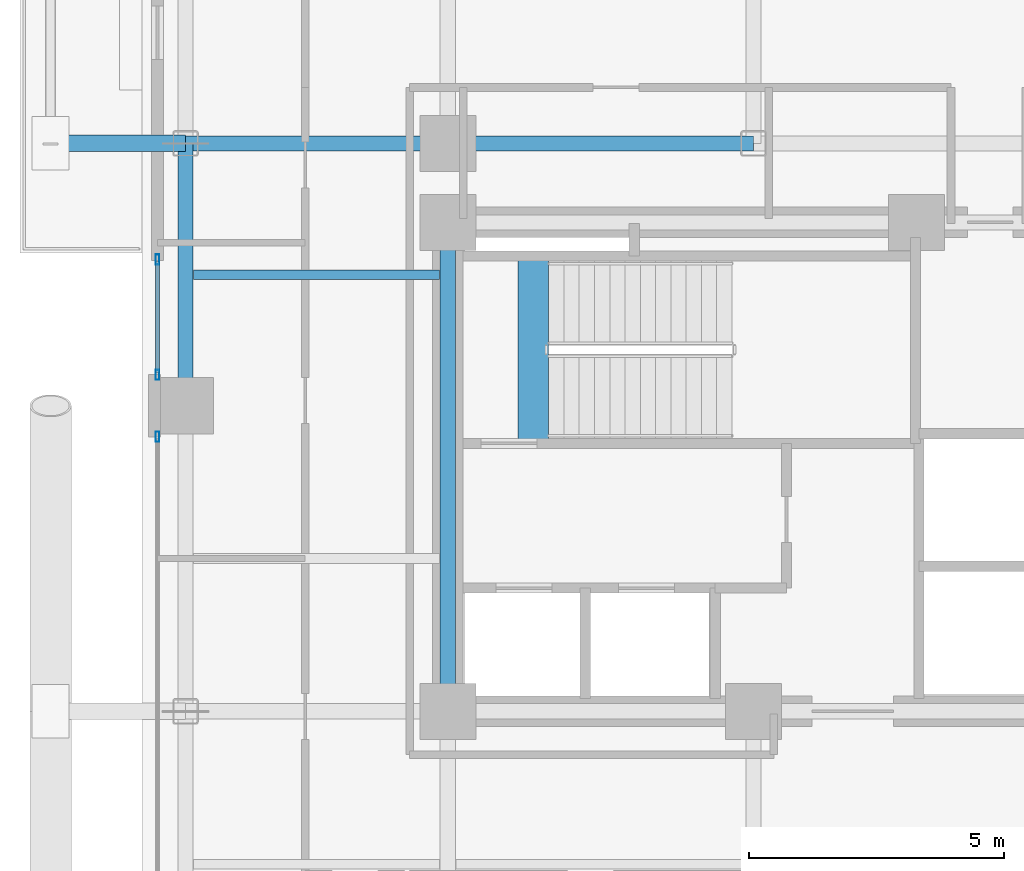
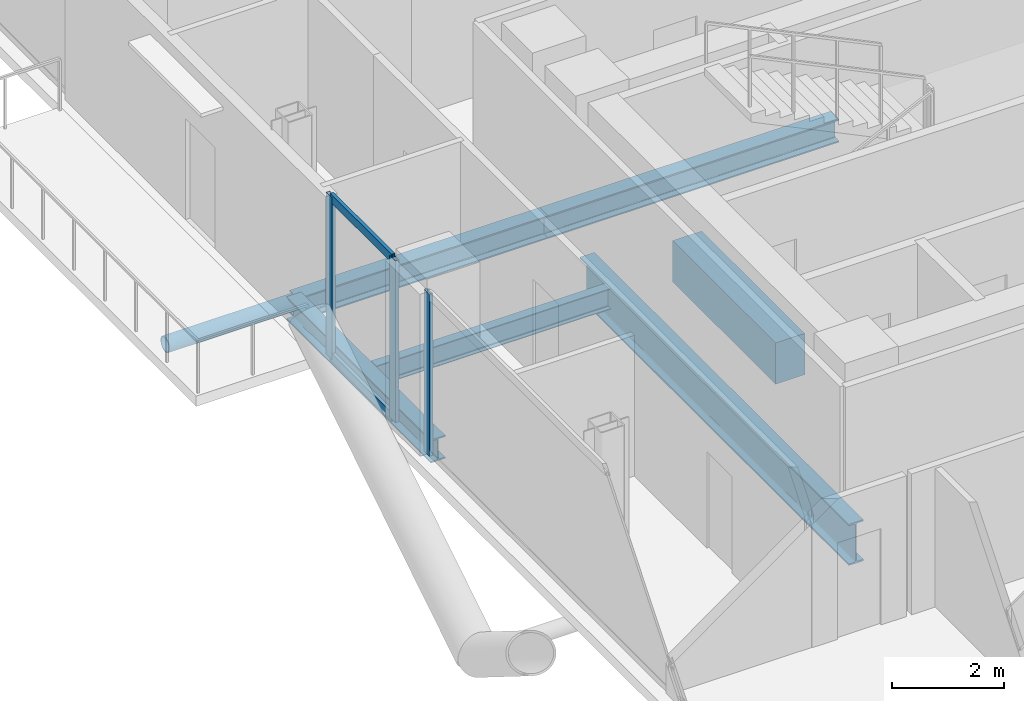
# One storey, part 7 of 28: 6 beams, 6 members, 2 elements without a shape of their own.
"""IFC4 building model written with IfcOpenShell, lengths in metres."""

from ifc_helpers import new_model, si_unit, direction, frame, origin, origin_2d, place, context, subcontext, project, spatial, rectangle, hollow_rectangle, hollow_circle, i_section, extrude, material, layer, layer_set, material_profile, profile_set, type_object, element, aggregate, save


model = new_model("IFC4")

# Units and contexts
model_context = context("Model", 3, precision=1e-05, world=origin(), true_north=direction((0.0, 1.0)))
body_context = subcontext(model_context, "Body", "Model", "MODEL_VIEW")
ifc_project = project(units=[si_unit("LENGTHUNIT", "METRE"), si_unit("AREAUNIT", "SQUARE_METRE"), si_unit("VOLUMEUNIT", "CUBIC_METRE"), si_unit("PLANEANGLEUNIT", "RADIAN"), si_unit("MASSUNIT", "GRAM", prefix="KILO"), si_unit("THERMODYNAMICTEMPERATUREUNIT", "KELVIN"), si_unit("POWERUNIT", "WATT")], contexts=[model_context])

# Site, building, storey
site_placement = place(None, origin())
site = spatial("IfcSite", under=ifc_project, at=site_placement, CompositionType="ELEMENT")
building_placement = place(site_placement, origin())
building = spatial("IfcBuilding", under=site, at=building_placement, Name="Svarakhadi Broadcast Tower", CompositionType="ELEMENT")
storey_placement = place(building_placement, frame((0.0, 0.0, 103.35009765625)))
storey = spatial("IfcBuildingStorey", under=building, at=storey_placement, Name="L24", CompositionType="ELEMENT", Elevation=103.35009765625)

# Beam
ifc_material_1 = material(Name="Steel S355J2 (IS 2062 E350C)", Category="steel")
ifc_material_profile_1 = material_profile(ifc_material_1, i_section(OverallWidth=0.18994140625, OverallDepth=0.449951171875, WebThickness=0.009521484375, FlangeThickness=0.0146484375, FilletRadius=0.02099609375, at=origin_2d()), Name="NPB 450x190x78")
ifc_profile_set_1 = profile_set([ifc_material_profile_1], Name="Steel S355J2 (IS 2062 E350C)")
beam_type_1 = type_object("IfcBeamType", Name="Beam_NPB450", PredefinedType="BEAM", material=ifc_profile_set_1)
beam_1_placement = place(storey_placement, frame((1.010009765625, 26.574951171875, -0.4501953125), z_axis=(1.0, 0.0, 0.0), x_axis=(0.0, 1.0, 0.0)))
element("IfcBeam", 1, at=beam_1_placement, inside=storey, type_object=beam_type_1, Name="L24 Secondary Composite Beam SB004", PredefinedType="BEAM", context=body_context, shape_type="SweptSolid", body=[
    extrude(i_section(OverallWidth=0.18994140625, OverallDepth=0.449951171875, WebThickness=0.009521484375, FlangeThickness=0.0146484375, FilletRadius=0.02099609375, at=origin_2d()), origin(), (0.0, 0.0, 1.0), 4.830078125),
])

# Curtain wall, member
ifc_material_2 = material(Name="Anodised Bronze Aluminium AA 6063-T6", Category="aluminium")
ifc_layer = layer(ifc_material_2, 0.199951171875)
ifc_layer_set = layer_set([ifc_layer], Name="Anodised Bronze Aluminium AA 6063-T6")
curtain_wall_type = type_object("IfcCurtainWallType", Name="CW_Sys_03", PredefinedType="NOTDEFINED", material=ifc_layer_set)
curtain_wall_1_placement = place(storey_placement, origin())
curtain_wall_1 = element("IfcCurtainWall", 2, at=curtain_wall_1_placement, inside=storey, type_object=curtain_wall_type, Name="L24 West Curtain Wall 02 Bay 2", PredefinedType="NOTDEFINED")
ifc_material_profile_2 = material_profile(ifc_material_2, hollow_rectangle(XDim=0.074951171875, YDim=0.199951171875, WallThickness=0.005615234375, at=origin_2d()), Name="ALU MULLION 200x75x6")
ifc_profile_set_2 = profile_set([ifc_material_profile_2], Name="Anodised Bronze Aluminium AA 6063-T6")
member_type_1 = type_object("IfcMemberType", Name="CW_Sys_03_Mul", PredefinedType="MULLION", material=ifc_profile_set_2)
member_1_placement = place(storey_placement, frame((0.300048828125, 23.392578125, 0.0), z_axis=(0.0, 0.0, 1.0), x_axis=(-1.0, 0.0, 0.0)))
member_1 = element("IfcMember", 3, at=member_1_placement, type_object=member_type_1, Name="CW-03 mullion 2", PredefinedType="MULLION", context=body_context, shape_type="SweptSolid", body=[
    extrude(hollow_rectangle(XDim=0.074951171875, YDim=0.199951171875, WallThickness=0.005615234375, at=origin_2d()), origin(), (0.0, 0.0, 1.0), 3.52490234375),
])
aggregate(curtain_wall_1, [member_1])

# Curtain wall, members
curtain_wall_2_placement = place(storey_placement, origin())
curtain_wall_2 = element("IfcCurtainWall", 4, at=curtain_wall_2_placement, inside=storey, type_object=curtain_wall_type, Name="L24 West Curtain Wall 02 Bay 3", PredefinedType="NOTDEFINED")
member_2_placement = place(storey_placement, frame((0.300048828125, 24.607421875, 0.0), z_axis=(0.0, 0.0, 1.0), x_axis=(-1.0, 0.0, 0.0)))
member_2 = element("IfcMember", 5, at=member_2_placement, type_object=member_type_1, Name="CW-03 mullion 1", PredefinedType="MULLION", context=body_context, shape_type="SweptSolid", body=[
    extrude(hollow_rectangle(XDim=0.074951171875, YDim=0.199951171875, WallThickness=0.005615234375, at=origin_2d()), origin(), (0.0, 0.0, 1.0), 3.52490234375),
])
member_3_placement = place(storey_placement, frame((0.300048828125, 26.87255859375, 0.0), z_axis=(0.0, 0.0, 1.0), x_axis=(-1.0, 0.0, 0.0)))
member_3 = element("IfcMember", 6, at=member_3_placement, type_object=member_type_1, Name="CW-03 mullion 2", PredefinedType="MULLION", context=body_context, shape_type="SweptSolid", body=[
    extrude(hollow_rectangle(XDim=0.074951171875, YDim=0.199951171875, WallThickness=0.005615234375, at=origin_2d()), origin(), (0.0, 0.0, 1.0), 3.52490234375),
])
ifc_material_profile_3 = material_profile(ifc_material_2, hollow_rectangle(XDim=0.070068359375, YDim=0.18505859375, WallThickness=0.0048828125, at=origin_2d()), Name="ALU TRANSOM 185x70x5")
ifc_profile_set_3 = profile_set([ifc_material_profile_3], Name="Anodised Bronze Aluminium AA 6063-T6")
member_type_2 = type_object("IfcMemberType", Name="CW_Sys_03_Trn", PredefinedType="USERDEFINED", material=ifc_profile_set_3)
member_4_placement = place(storey_placement, frame((0.300048828125, 24.64501953125, 0.034912109375), z_axis=(0.0, 1.0, 0.0), x_axis=(-1.0, 0.0, 0.0)))
member_4 = element("IfcMember", 7, at=member_4_placement, type_object=member_type_2, Name="CW-03 transom 1.1", ObjectType="TRANSOM", PredefinedType="USERDEFINED", context=body_context, shape_type="SweptSolid", body=[
    extrude(hollow_rectangle(XDim=0.070068359375, YDim=0.18505859375, WallThickness=0.0048828125, at=origin_2d()), origin(), (0.0, 0.0, 1.0), 2.18994140625),
])
member_5_placement = place(storey_placement, frame((0.300048828125, 24.64501953125, 3.489990234375), z_axis=(0.0, 1.0, 0.0), x_axis=(-1.0, 0.0, 0.0)))
member_5 = element("IfcMember", 8, at=member_5_placement, type_object=member_type_2, Name="CW-03 transom 1.2", ObjectType="TRANSOM", PredefinedType="USERDEFINED", context=body_context, shape_type="SweptSolid", body=[
    extrude(hollow_rectangle(XDim=0.070068359375, YDim=0.18505859375, WallThickness=0.0048828125, at=origin_2d()), origin(), (0.0, 0.0, 1.0), 2.18994140625),
])
aggregate(curtain_wall_2, [member_2, member_3, member_4, member_5])

# Beam
ifc_material_3 = material(Name="Concrete C50/60 (IS 456 M60)", Category="concrete")
ifc_material_profile_4 = material_profile(ifc_material_3, rectangle(XDim=0.60009765625, YDim=0.89990234375, at=origin_2d()), Name="RC 600x900")
ifc_profile_set_4 = profile_set([ifc_material_profile_4], Name="Concrete C50/60 (IS 456 M60)")
beam_type_2 = type_object("IfcBeamType", Name="Coupling_RC600", PredefinedType="USERDEFINED", material=ifc_profile_set_4)
beam_2_placement = place(storey_placement, frame((7.679931640625, 23.260009765625, -0.4501953125), z_axis=(0.0, 1.0, 0.0), x_axis=(-1.0, 0.0, 0.0)))
element("IfcBeam", 9, at=beam_2_placement, inside=storey, type_object=beam_type_2, Name="L24 Stair ST-01 Landing Throat Trimmer Beam CB-01", ObjectType="GIRDER", PredefinedType="USERDEFINED", context=body_context, shape_type="SweptSolid", body=[
    extrude(rectangle(XDim=0.60009765625, YDim=0.89990234375, at=origin_2d()), origin(), (0.0, 0.0, 1.0), 3.679931640625),
])

# Member
ifc_material_4 = material(Name="Steel S460ML (IS 2062 E450BR)", Category="steel")
ifc_material_profile_5 = material_profile(ifc_material_4, hollow_circle(Radius=0.161865234375, WallThickness=0.01611328125, at=origin_2d()), Name="CHS 323.9x16")
ifc_profile_set_5 = profile_set([ifc_material_profile_5], Name="Steel S460ML (IS 2062 E450BR)")
member_type_3 = type_object("IfcMemberType", Name="Exo_Radial_Strut_Z2", PredefinedType="STRUT", material=ifc_profile_set_5)
member_6_placement = place(storey_placement, frame((-1.800048828125, 29.14990234375, -0.386962890625), z_axis=(1.0, 0.0, 0.0), x_axis=(0.0, 1.0, 0.0)))
element("IfcMember", 10, at=member_6_placement, inside=storey, type_object=member_type_3, Name="L24 Exoskeleton Radial Tie Strut W07", PredefinedType="STRUT", context=body_context, shape_type="SweptSolid", body=[
    extrude(hollow_circle(Radius=0.161865234375, WallThickness=0.01611328125, at=origin_2d()), origin(), (0.0, 0.0, 1.0), 2.650146484375),
])

# Beams
ifc_material_profile_6 = material_profile(ifc_material_1, i_section(OverallWidth=0.300048828125, OverallDepth=0.5, WebThickness=0.014404296875, FlangeThickness=0.028076171875, FilletRadius=0.027099609375, at=origin_2d()), Name="WPB 500x300x187")
ifc_profile_set_6 = profile_set([ifc_material_profile_6], Name="Steel S355J2 (IS 2062 E350C)")
beam_type_3 = type_object("IfcBeamType", Name="Girder_WPB500", PredefinedType="USERDEFINED", material=ifc_profile_set_6)
beam_3_placement = place(storey_placement, frame((0.85009765625, 29.14990234375, -0.47509765625), z_axis=(1.0, 0.0, 0.0), x_axis=(0.0, 1.0, 0.0)))
element("IfcBeam", 11, at=beam_3_placement, inside=storey, type_object=beam_type_3, Name="L24 Primary E-W Girder G032", ObjectType="GIRDER", PredefinedType="USERDEFINED", context=body_context, shape_type="SweptSolid", body=[
    extrude(i_section(OverallWidth=0.300048828125, OverallDepth=0.5, WebThickness=0.014404296875, FlangeThickness=0.028076171875, FilletRadius=0.027099609375, at=origin_2d()), origin(), (0.0, 0.0, 1.0), 5.14990234375),
])
beam_4_placement = place(storey_placement, frame((6.0, 29.14990234375, -0.47509765625), z_axis=(1.0, 0.0, 0.0), x_axis=(0.0, 1.0, 0.0)))
element("IfcBeam", 12, at=beam_4_placement, inside=storey, type_object=beam_type_3, Name="L24 Primary E-W Girder G033", ObjectType="GIRDER", PredefinedType="USERDEFINED", context=body_context, shape_type="SweptSolid", body=[
    extrude(i_section(OverallWidth=0.300048828125, OverallDepth=0.5, WebThickness=0.014404296875, FlangeThickness=0.028076171875, FilletRadius=0.027099609375, at=origin_2d()), origin(), (0.0, 0.0, 1.0), 6.0),
])
beam_5_placement = place(storey_placement, frame((0.85009765625, 24.0, -0.47509765625), z_axis=(0.0, 1.0, 0.0), x_axis=(-1.0, 0.0, 0.0)))
element("IfcBeam", 13, at=beam_5_placement, inside=storey, type_object=beam_type_3, Name="L24 Primary N-S Girder G043", ObjectType="GIRDER", PredefinedType="USERDEFINED", context=body_context, shape_type="SweptSolid", body=[
    extrude(i_section(OverallWidth=0.300048828125, OverallDepth=0.5, WebThickness=0.014404296875, FlangeThickness=0.028076171875, FilletRadius=0.027099609375, at=origin_2d()), origin(), (0.0, 0.0, 1.0), 5.14990234375),
])
ifc_material_profile_7 = material_profile(ifc_material_4, i_section(OverallWidth=0.300048828125, OverallDepth=0.89990234375, WebThickness=0.0185546875, FlangeThickness=0.034912109375, FilletRadius=0.030029296875, at=origin_2d()), Name="WPB 900x300x291")
ifc_profile_set_7 = profile_set([ifc_material_profile_7], Name="Steel S460ML (IS 2062 E450BR)")
beam_type_4 = type_object("IfcBeamType", Name="Girder_WPB900", PredefinedType="USERDEFINED", material=ifc_profile_set_7)
beam_6_placement = place(storey_placement, frame((6.0, 18.0, -0.675048828125), z_axis=(0.0, 1.0, 0.0), x_axis=(-1.0, 0.0, 0.0)))
element("IfcBeam", 14, at=beam_6_placement, inside=storey, type_object=beam_type_4, Name="L24 Primary N-S Girder G048", ObjectType="GIRDER", PredefinedType="USERDEFINED", context=body_context, shape_type="SweptSolid", body=[
    extrude(i_section(OverallWidth=0.300048828125, OverallDepth=0.89990234375, WebThickness=0.0185546875, FlangeThickness=0.034912109375, FilletRadius=0.030029296875, at=origin_2d()), origin(), (0.0, 0.0, 1.0), 9.60009765625),
])

save(model, "model.ifc")
